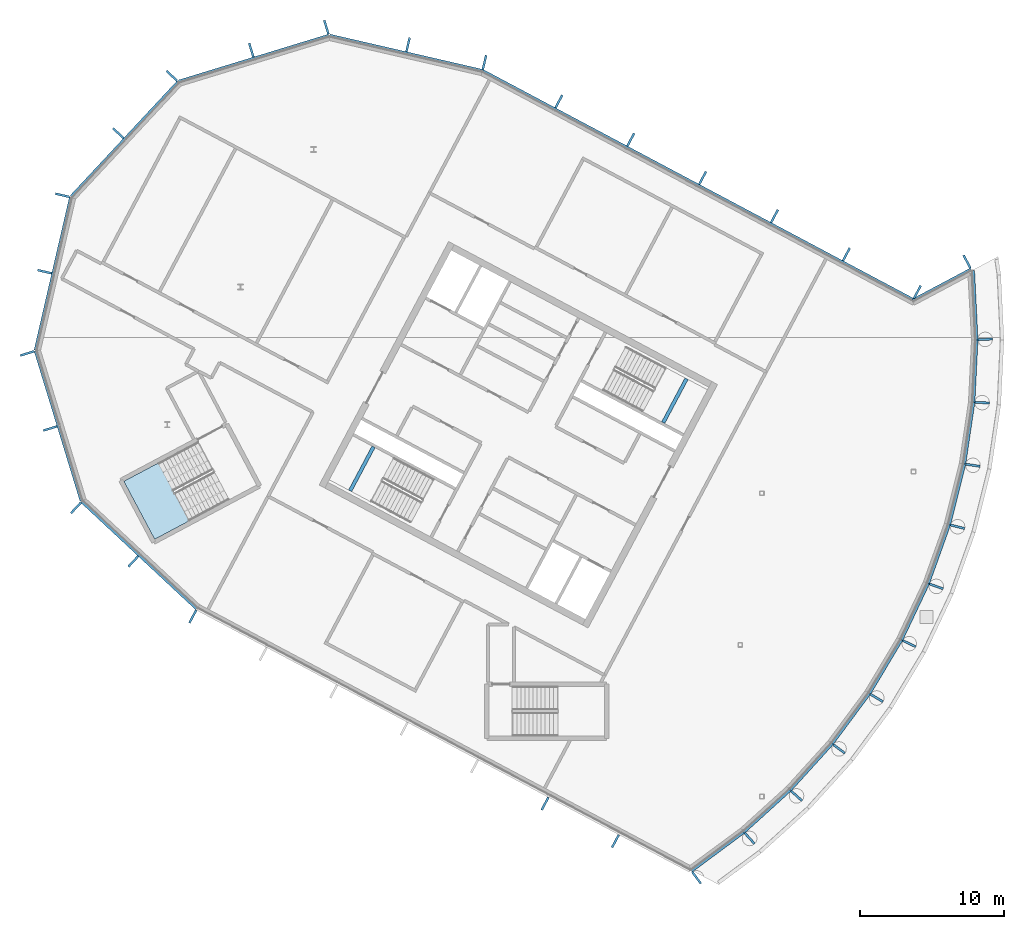
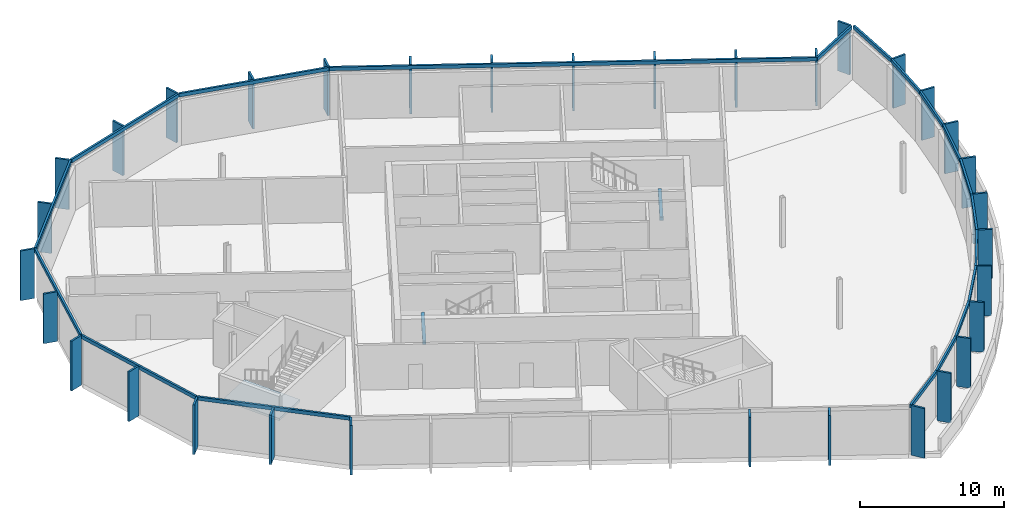
# One storey, part 4 of 15: 52 members, 2 beams, 1 slab, 21 elements without a shape of their own.
"""IFC4 building model written with IfcOpenShell, lengths in metres."""

from ifc_helpers import new_model, si_unit, direction, frame, origin, origin_2d, place, context, subcontext, project, spatial, polyline, rectangle, outline, extrude, material, layer, layer_set, material_profile, profile_set, type_object, element, aggregate, save


model = new_model("IFC4")

# Units and contexts
model_context = context("Model", 3, precision=1e-05, world=origin(), true_north=direction((0.0, 1.0)))
body_context = subcontext(model_context, "Body", "Model", "MODEL_VIEW")
ifc_project = project(units=[si_unit("LENGTHUNIT", "METRE"), si_unit("AREAUNIT", "SQUARE_METRE"), si_unit("VOLUMEUNIT", "CUBIC_METRE"), si_unit("PLANEANGLEUNIT", "RADIAN"), si_unit("MASSUNIT", "GRAM", prefix="KILO")], contexts=[model_context])

# Site, building, storey
site_placement = place(None, origin())
site = spatial("IfcSite", under=ifc_project, at=site_placement, CompositionType="ELEMENT")
building_placement = place(site_placement, origin())
building = spatial("IfcBuilding", under=site, at=building_placement, Name="Cormorant Relay Tower", CompositionType="ELEMENT")
storey_placement = place(building_placement, frame((0.0, 0.0, 332.39990234375)))
storey = spatial("IfcBuildingStorey", under=building, at=storey_placement, Name="C2", CompositionType="ELEMENT", Elevation=332.39990234375)

# Curtain wall, members
ifc_material_1 = material(Name="Aluminium 6063-T6 anodised bronze", Category="aluminium")
ifc_layer_1 = layer(ifc_material_1, 0.199951171875)
ifc_layer_set_1 = layer_set([ifc_layer_1], Name="CW3 crown screen wall")
curtain_wall_type = type_object("IfcCurtainWallType", Name="CW3 crown screen wall", PredefinedType="NOTDEFINED", material=ifc_layer_set_1)
curtain_wall_1_placement = place(storey_placement, origin())
curtain_wall_1 = element("IfcCurtainWall", 1, at=curtain_wall_1_placement, inside=storey, type_object=curtain_wall_type, Name="CW3 curtain wall 1", PredefinedType="NOTDEFINED")
ifc_material_2 = material(Name="Aluminium 6063-T6 anodised bronze", Category="aluminium")
ifc_material_profile_1 = material_profile(ifc_material_2, rectangle(XDim=0.14990234375, YDim=1.0, at=origin_2d()), Name="AL 150x1000")
ifc_profile_set_1 = profile_set([ifc_material_profile_1], Name="Aluminium 6063-T6 anodised bronze")
member_type_1 = type_object("IfcMemberType", Name="CW3 bronze fin mullion 150 x 1000", PredefinedType="MULLION", material=ifc_profile_set_1)
member_1_placement = place(storey_placement, frame((-49.920166015625, 1.96630859375, 0.0), z_axis=(0.0, 0.0, 1.0), x_axis=(0.882947592859, -0.469471562786, 0.0)))
member_1 = element("IfcMember", 2, at=member_1_placement, type_object=member_type_1, Name="CW3 fin 1.1", PredefinedType="MULLION", context=body_context, shape_type="SweptSolid", body=[
    extrude(rectangle(XDim=0.14990234375, YDim=1.0, at=origin_2d()), origin(), (0.0, 0.0, 1.0), 4.2001953125),
])
member_2_placement = place(storey_placement, frame((-25.52783203125, -11.00341796875, 0.0), z_axis=(0.0, 0.0, 1.0), x_axis=(0.882947592859, -0.469471562786, 0.0)))
member_2 = element("IfcMember", 3, at=member_2_placement, type_object=member_type_1, Name="CW3 fin 1.6", PredefinedType="MULLION", context=body_context, shape_type="SweptSolid", body=[
    extrude(rectangle(XDim=0.14990234375, YDim=1.0, at=origin_2d()), origin(), (0.0, 0.0, 1.0), 4.2001953125),
])
member_3_placement = place(storey_placement, frame((-20.6494140625, -13.597412109375, 0.0), z_axis=(0.0, 0.0, 1.0), x_axis=(0.882947592859, -0.469471562786, 0.0)))
member_3 = element("IfcMember", 4, at=member_3_placement, type_object=member_type_1, Name="CW3 fin 1.7", PredefinedType="MULLION", context=body_context, shape_type="SweptSolid", body=[
    extrude(rectangle(XDim=0.14990234375, YDim=1.0, at=origin_2d()), origin(), (0.0, 0.0, 1.0), 4.2001953125),
])
aggregate(curtain_wall_1, [member_1, member_2, member_3])

# Curtain wall, member
curtain_wall_2_placement = place(storey_placement, origin())
curtain_wall_2 = element("IfcCurtainWall", 5, at=curtain_wall_2_placement, inside=storey, type_object=curtain_wall_type, Name="CW3 curtain wall 2", PredefinedType="NOTDEFINED")
member_4_placement = place(storey_placement, frame((-15.025390625, -16.135498046875, 0.0), z_axis=(0.0, 0.0, 1.0), x_axis=(0.803207531481, 0.595699304492, 0.0)))
member_4 = element("IfcMember", 6, at=member_4_placement, type_object=member_type_1, Name="CW3 fin 2.1", PredefinedType="MULLION", context=body_context, shape_type="SweptSolid", body=[
    extrude(rectangle(XDim=0.14990234375, YDim=1.0, at=origin_2d()), origin(), (0.0, 0.0, 1.0), 4.2001953125),
])

curtain_wall_3_placement = place(storey_placement, origin())
curtain_wall_3 = element("IfcCurtainWall", 7, at=curtain_wall_3_placement, inside=storey, type_object=curtain_wall_type, Name="CW3 curtain wall 3", PredefinedType="NOTDEFINED")
member_5_placement = place(storey_placement, frame((-11.34912109375, -13.40478515625, 0.0), z_axis=(0.0, 0.0, 1.0), x_axis=(0.740951125355, 0.671558954847, 0.0)))
member_5 = element("IfcMember", 8, at=member_5_placement, type_object=member_type_1, Name="CW3 fin 3.1", PredefinedType="MULLION", context=body_context, shape_type="SweptSolid", body=[
    extrude(rectangle(XDim=0.14990234375, YDim=1.0, at=origin_2d()), origin(), (0.0, 0.0, 1.0), 4.2001953125),
])

curtain_wall_4_placement = place(storey_placement, origin())
curtain_wall_4 = element("IfcCurtainWall", 9, at=curtain_wall_4_placement, inside=storey, type_object=curtain_wall_type, Name="CW3 curtain wall 4", PredefinedType="NOTDEFINED")
member_6_placement = place(storey_placement, frame((-8.101318359375, -10.45654296875, 0.0), z_axis=(0.0, 0.0, 1.0), x_axis=(0.671558954847, 0.740951125355, 0.0)))
member_6 = element("IfcMember", 10, at=member_6_placement, type_object=member_type_1, Name="CW3 fin 4.1", PredefinedType="MULLION", context=body_context, shape_type="SweptSolid", body=[
    extrude(rectangle(XDim=0.14990234375, YDim=1.0, at=origin_2d()), origin(), (0.0, 0.0, 1.0), 4.2001953125),
])

curtain_wall_5_placement = place(storey_placement, origin())
curtain_wall_5 = element("IfcCurtainWall", 11, at=curtain_wall_5_placement, inside=storey, type_object=curtain_wall_type, Name="CW3 curtain wall 5", PredefinedType="NOTDEFINED")
member_7_placement = place(storey_placement, frame((-5.157958984375, -7.2041015625, 0.0), z_axis=(0.0, 0.0, 1.0), x_axis=(0.595699304492, 0.803207531481, 0.0)))
member_7 = element("IfcMember", 12, at=member_7_placement, type_object=member_type_1, Name="CW3 fin 5.1", PredefinedType="MULLION", context=body_context, shape_type="SweptSolid", body=[
    extrude(rectangle(XDim=0.14990234375, YDim=1.0, at=origin_2d()), origin(), (0.0, 0.0, 1.0), 4.2001953125),
])

curtain_wall_6_placement = place(storey_placement, origin())
curtain_wall_6 = element("IfcCurtainWall", 13, at=curtain_wall_6_placement, inside=storey, type_object=curtain_wall_type, Name="CW3 curtain wall 6", PredefinedType="NOTDEFINED")
member_8_placement = place(storey_placement, frame((-2.547607421875, -3.6787109375, 0.0), z_axis=(0.0, 0.0, 1.0), x_axis=(0.514102744193, 0.85772861, 0.0)))
member_8 = element("IfcMember", 14, at=member_8_placement, type_object=member_type_1, Name="CW3 fin 6.1", PredefinedType="MULLION", context=body_context, shape_type="SweptSolid", body=[
    extrude(rectangle(XDim=0.14990234375, YDim=1.0, at=origin_2d()), origin(), (0.0, 0.0, 1.0), 4.2001953125),
])

curtain_wall_7_placement = place(storey_placement, origin())
curtain_wall_7 = element("IfcCurtainWall", 15, at=curtain_wall_7_placement, inside=storey, type_object=curtain_wall_type, Name="CW3 curtain wall 7", PredefinedType="NOTDEFINED")
member_9_placement = place(storey_placement, frame((-0.29541015625, 0.08544921875, 0.0), z_axis=(0.0, 0.0, 1.0), x_axis=(0.42755509343, 0.903989293123, 0.0)))
member_9 = element("IfcMember", 16, at=member_9_placement, type_object=member_type_1, Name="CW3 fin 7.1", PredefinedType="MULLION", context=body_context, shape_type="SweptSolid", body=[
    extrude(rectangle(XDim=0.14990234375, YDim=1.0, at=origin_2d()), origin(), (0.0, 0.0, 1.0), 4.2001953125),
])

curtain_wall_8_placement = place(storey_placement, origin())
curtain_wall_8 = element("IfcCurtainWall", 17, at=curtain_wall_8_placement, inside=storey, type_object=curtain_wall_type, Name="CW3 curtain wall 8", PredefinedType="NOTDEFINED")
member_10_placement = place(storey_placement, frame((1.5771484375, 4.05224609375, 0.0), z_axis=(0.0, 0.0, 1.0), x_axis=(0.336889853392, 0.941544065183, 0.0)))
member_10 = element("IfcMember", 18, at=member_10_placement, type_object=member_type_1, Name="CW3 fin 8.1", PredefinedType="MULLION", context=body_context, shape_type="SweptSolid", body=[
    extrude(rectangle(XDim=0.14990234375, YDim=1.0, at=origin_2d()), origin(), (0.0, 0.0, 1.0), 4.2001953125),
])

curtain_wall_9_placement = place(storey_placement, origin())
curtain_wall_9 = element("IfcCurtainWall", 19, at=curtain_wall_9_placement, inside=storey, type_object=curtain_wall_type, Name="CW3 curtain wall 9", PredefinedType="NOTDEFINED")
member_11_placement = place(storey_placement, frame((3.0517578125, 8.18359375, 0.0), z_axis=(0.0, 0.0, 1.0), x_axis=(0.242980179903, 0.970031253195, 0.0)))
member_11 = element("IfcMember", 20, at=member_11_placement, type_object=member_type_1, Name="CW3 fin 9.1", PredefinedType="MULLION", context=body_context, shape_type="SweptSolid", body=[
    extrude(rectangle(XDim=0.14990234375, YDim=1.0, at=origin_2d()), origin(), (0.0, 0.0, 1.0), 4.2001953125),
])

curtain_wall_10_placement = place(storey_placement, origin())
curtain_wall_10 = element("IfcCurtainWall", 21, at=curtain_wall_10_placement, inside=storey, type_object=curtain_wall_type, Name="CW3 curtain wall 10", PredefinedType="NOTDEFINED")
member_12_placement = place(storey_placement, frame((4.1142578125, 12.439453125, 0.0), z_axis=(0.0, 0.0, 1.0), x_axis=(0.146730474455, 0.989176509965, 0.0)))
member_12 = element("IfcMember", 22, at=member_12_placement, type_object=member_type_1, Name="CW3 fin 10.1", PredefinedType="MULLION", context=body_context, shape_type="SweptSolid", body=[
    extrude(rectangle(XDim=0.14990234375, YDim=1.0, at=origin_2d()), origin(), (0.0, 0.0, 1.0), 4.2001953125),
])

curtain_wall_11_placement = place(storey_placement, origin())
curtain_wall_11 = element("IfcCurtainWall", 23, at=curtain_wall_11_placement, inside=storey, type_object=curtain_wall_type, Name="CW3 curtain wall 11", PredefinedType="NOTDEFINED")
member_13_placement = place(storey_placement, frame((4.754638671875, 16.779052734375, 0.0), z_axis=(0.0, 0.0, 1.0), x_axis=(0.049067674327, 0.998795456205, 0.0)))
member_13 = element("IfcMember", 24, at=member_13_placement, type_object=member_type_1, Name="CW3 fin 11.1", PredefinedType="MULLION", context=body_context, shape_type="SweptSolid", body=[
    extrude(rectangle(XDim=0.14990234375, YDim=1.0, at=origin_2d()), origin(), (0.0, 0.0, 1.0), 4.2001953125),
])

curtain_wall_12_placement = place(storey_placement, origin())
curtain_wall_12 = element("IfcCurtainWall", 25, at=curtain_wall_12_placement, inside=storey, type_object=curtain_wall_type, Name="CW3 curtain wall 12", PredefinedType="NOTDEFINED")
member_14_placement = place(storey_placement, frame((4.966552734375, 21.16064453125, 0.0), z_axis=(0.0, 0.0, 1.0), x_axis=(-0.049067674327, 0.998795456205, 0.0)))
member_14 = element("IfcMember", 26, at=member_14_placement, type_object=member_type_1, Name="CW3 fin 12.1", PredefinedType="MULLION", context=body_context, shape_type="SweptSolid", body=[
    extrude(rectangle(XDim=0.14990234375, YDim=1.0, at=origin_2d()), origin(), (0.0, 0.0, 1.0), 4.2001953125),
])

curtain_wall_13_placement = place(storey_placement, origin())
curtain_wall_13 = element("IfcCurtainWall", 27, at=curtain_wall_13_placement, inside=storey, type_object=curtain_wall_type, Name="CW3 curtain wall 13", PredefinedType="NOTDEFINED")
member_15_placement = place(storey_placement, frame((3.702880859375, 26.545654296875, 0.0), z_axis=(0.0, 0.0, 1.0), x_axis=(-0.882947592859, -0.469471562786, 0.0)))
member_15 = element("IfcMember", 28, at=member_15_placement, type_object=member_type_1, Name="CW3 fin 13.1", PredefinedType="MULLION", context=body_context, shape_type="SweptSolid", body=[
    extrude(rectangle(XDim=0.14990234375, YDim=1.0, at=origin_2d()), origin(), (0.0, 0.0, 1.0), 4.2001953125),
])

# Curtain wall, members
curtain_wall_14_placement = place(storey_placement, origin())
curtain_wall_14 = element("IfcCurtainWall", 29, at=curtain_wall_14_placement, inside=storey, type_object=curtain_wall_type, Name="CW3 curtain wall 14", PredefinedType="NOTDEFINED")
member_16_placement = place(storey_placement, frame((0.262451171875, 24.437255859375, 0.0), z_axis=(0.0, 0.0, 1.0), x_axis=(-0.882947592859, 0.469471562786, 0.0)))
member_16 = element("IfcMember", 30, at=member_16_placement, type_object=member_type_1, Name="CW3 fin 14.1", PredefinedType="MULLION", context=body_context, shape_type="SweptSolid", body=[
    extrude(rectangle(XDim=0.14990234375, YDim=1.0, at=origin_2d()), origin(), (0.0, 0.0, 1.0), 4.2001953125),
])
member_17_placement = place(storey_placement, frame((-4.650390625, 27.04931640625, 0.0), z_axis=(0.0, 0.0, 1.0), x_axis=(-0.882947592859, 0.469471562786, 0.0)))
member_17 = element("IfcMember", 31, at=member_17_placement, type_object=member_type_1, Name="CW3 fin 14.2", PredefinedType="MULLION", context=body_context, shape_type="SweptSolid", body=[
    extrude(rectangle(XDim=0.14990234375, YDim=1.0, at=origin_2d()), origin(), (0.0, 0.0, 1.0), 4.2001953125),
])
member_18_placement = place(storey_placement, frame((-9.62939453125, 29.69677734375, 0.0), z_axis=(0.0, 0.0, 1.0), x_axis=(-0.882947592859, 0.469471562786, 0.0)))
member_18 = element("IfcMember", 32, at=member_18_placement, type_object=member_type_1, Name="CW3 fin 14.3", PredefinedType="MULLION", context=body_context, shape_type="SweptSolid", body=[
    extrude(rectangle(XDim=0.14990234375, YDim=1.0, at=origin_2d()), origin(), (0.0, 0.0, 1.0), 4.2001953125),
])
member_19_placement = place(storey_placement, frame((-14.608154296875, 32.343994140625, 0.0), z_axis=(0.0, 0.0, 1.0), x_axis=(-0.882947592859, 0.469471562786, 0.0)))
member_19 = element("IfcMember", 33, at=member_19_placement, type_object=member_type_1, Name="CW3 fin 14.4", PredefinedType="MULLION", context=body_context, shape_type="SweptSolid", body=[
    extrude(rectangle(XDim=0.14990234375, YDim=1.0, at=origin_2d()), origin(), (0.0, 0.0, 1.0), 4.2001953125),
])
member_20_placement = place(storey_placement, frame((-19.587158203125, 34.991455078125, 0.0), z_axis=(0.0, 0.0, 1.0), x_axis=(-0.882947592859, 0.469471562786, 0.0)))
member_20 = element("IfcMember", 34, at=member_20_placement, type_object=member_type_1, Name="CW3 fin 14.5", PredefinedType="MULLION", context=body_context, shape_type="SweptSolid", body=[
    extrude(rectangle(XDim=0.14990234375, YDim=1.0, at=origin_2d()), origin(), (0.0, 0.0, 1.0), 4.2001953125),
])
member_21_placement = place(storey_placement, frame((-24.566162109375, 37.638916015625, 0.0), z_axis=(0.0, 0.0, 1.0), x_axis=(-0.882947592859, 0.469471562786, 0.0)))
member_21 = element("IfcMember", 35, at=member_21_placement, type_object=member_type_1, Name="CW3 fin 14.6", PredefinedType="MULLION", context=body_context, shape_type="SweptSolid", body=[
    extrude(rectangle(XDim=0.14990234375, YDim=1.0, at=origin_2d()), origin(), (0.0, 0.0, 1.0), 4.2001953125),
])

curtain_wall_15_placement = place(storey_placement, origin())
curtain_wall_15 = element("IfcCurtainWall", 36, at=curtain_wall_15_placement, inside=storey, type_object=curtain_wall_type, Name="CW3 curtain wall 15", PredefinedType="NOTDEFINED")
member_22_placement = place(storey_placement, frame((-29.71630859375, 40.35009765625, 0.0), z_axis=(0.0, 0.0, 1.0), x_axis=(-0.974370064785, 0.224951054344, 0.0)))
member_22 = element("IfcMember", 37, at=member_22_placement, type_object=member_type_1, Name="CW3 fin 15.1", PredefinedType="MULLION", context=body_context, shape_type="SweptSolid", body=[
    extrude(rectangle(XDim=0.14990234375, YDim=1.0, at=origin_2d()), origin(), (0.0, 0.0, 1.0), 4.2001953125),
])
member_23_placement = place(storey_placement, frame((-35.01220703125, 41.57275390625, 0.0), z_axis=(0.0, 0.0, 1.0), x_axis=(-0.974370064785, 0.224951054344, 0.0)))
member_23 = element("IfcMember", 38, at=member_23_placement, type_object=member_type_1, Name="CW3 fin 15.2", PredefinedType="MULLION", context=body_context, shape_type="SweptSolid", body=[
    extrude(rectangle(XDim=0.14990234375, YDim=1.0, at=origin_2d()), origin(), (0.0, 0.0, 1.0), 4.2001953125),
])

curtain_wall_16_placement = place(storey_placement, origin())
curtain_wall_16 = element("IfcCurtainWall", 39, at=curtain_wall_16_placement, inside=storey, type_object=curtain_wall_type, Name="CW3 curtain wall 16", PredefinedType="NOTDEFINED")
member_24_placement = place(storey_placement, frame((-40.670166015625, 42.78271484375, 0.0), z_axis=(0.0, 0.0, 1.0), x_axis=(-0.956304755963, -0.292371704723, 0.0)))
member_24 = element("IfcMember", 40, at=member_24_placement, type_object=member_type_1, Name="CW3 fin 16.1", PredefinedType="MULLION", context=body_context, shape_type="SweptSolid", body=[
    extrude(rectangle(XDim=0.14990234375, YDim=1.0, at=origin_2d()), origin(), (0.0, 0.0, 1.0), 4.2001953125),
])
member_25_placement = place(storey_placement, frame((-45.867919921875, 41.193603515625, 0.0), z_axis=(0.0, 0.0, 1.0), x_axis=(-0.956304755963, -0.292371704723, 0.0)))
member_25 = element("IfcMember", 41, at=member_25_placement, type_object=member_type_1, Name="CW3 fin 16.2", PredefinedType="MULLION", context=body_context, shape_type="SweptSolid", body=[
    extrude(rectangle(XDim=0.14990234375, YDim=1.0, at=origin_2d()), origin(), (0.0, 0.0, 1.0), 4.2001953125),
])

curtain_wall_17_placement = place(storey_placement, origin())
curtain_wall_17 = element("IfcCurtainWall", 42, at=curtain_wall_17_placement, inside=storey, type_object=curtain_wall_type, Name="CW3 curtain wall 17", PredefinedType="NOTDEFINED")
member_26_placement = place(storey_placement, frame((-51.372802734375, 39.41259765625, 0.0), z_axis=(0.0, 0.0, 1.0), x_axis=(-0.681998360062, -0.731353701619, 0.0)))
member_26 = element("IfcMember", 43, at=member_26_placement, type_object=member_type_1, Name="CW3 fin 17.1", PredefinedType="MULLION", context=body_context, shape_type="SweptSolid", body=[
    extrude(rectangle(XDim=0.14990234375, YDim=1.0, at=origin_2d()), origin(), (0.0, 0.0, 1.0), 4.2001953125),
])
member_27_placement = place(storey_placement, frame((-55.07958984375, 35.4375, 0.0), z_axis=(0.0, 0.0, 1.0), x_axis=(-0.681998360062, -0.731353701619, 0.0)))
member_27 = element("IfcMember", 44, at=member_27_placement, type_object=member_type_1, Name="CW3 fin 17.2", PredefinedType="MULLION", context=body_context, shape_type="SweptSolid", body=[
    extrude(rectangle(XDim=0.14990234375, YDim=1.0, at=origin_2d()), origin(), (0.0, 0.0, 1.0), 4.2001953125),
])

curtain_wall_18_placement = place(storey_placement, origin())
curtain_wall_18 = element("IfcCurtainWall", 45, at=curtain_wall_18_placement, inside=storey, type_object=curtain_wall_type, Name="CW3 curtain wall 18", PredefinedType="NOTDEFINED")
member_28_placement = place(storey_placement, frame((-58.95654296875, 31.142578125, 0.0), z_axis=(0.0, 0.0, 1.0), x_axis=(-0.224951054344, -0.974370064785, 0.0)))
member_28 = element("IfcMember", 46, at=member_28_placement, type_object=member_type_1, Name="CW3 fin 18.1", PredefinedType="MULLION", context=body_context, shape_type="SweptSolid", body=[
    extrude(rectangle(XDim=0.14990234375, YDim=1.0, at=origin_2d()), origin(), (0.0, 0.0, 1.0), 4.2001953125),
])
member_29_placement = place(storey_placement, frame((-60.17919921875, 25.8466796875, 0.0), z_axis=(0.0, 0.0, 1.0), x_axis=(-0.224951054344, -0.974370064785, 0.0)))
member_29 = element("IfcMember", 47, at=member_29_placement, type_object=member_type_1, Name="CW3 fin 18.2", PredefinedType="MULLION", context=body_context, shape_type="SweptSolid", body=[
    extrude(rectangle(XDim=0.14990234375, YDim=1.0, at=origin_2d()), origin(), (0.0, 0.0, 1.0), 4.2001953125),
])

curtain_wall_19_placement = place(storey_placement, origin())
curtain_wall_19 = element("IfcCurtainWall", 48, at=curtain_wall_19_placement, inside=storey, type_object=curtain_wall_type, Name="CW3 curtain wall 19", PredefinedType="NOTDEFINED")
member_30_placement = place(storey_placement, frame((-61.389404296875, 20.188720703125, 0.0), z_axis=(0.0, 0.0, 1.0), x_axis=(0.292371704723, -0.956304755963, 0.0)))
member_30 = element("IfcMember", 49, at=member_30_placement, type_object=member_type_1, Name="CW3 fin 19.1", PredefinedType="MULLION", context=body_context, shape_type="SweptSolid", body=[
    extrude(rectangle(XDim=0.14990234375, YDim=1.0, at=origin_2d()), origin(), (0.0, 0.0, 1.0), 4.2001953125),
])
member_31_placement = place(storey_placement, frame((-59.80029296875, 14.990966796875, 0.0), z_axis=(0.0, 0.0, 1.0), x_axis=(0.292371704723, -0.956304755963, 0.0)))
member_31 = element("IfcMember", 50, at=member_31_placement, type_object=member_type_1, Name="CW3 fin 19.2", PredefinedType="MULLION", context=body_context, shape_type="SweptSolid", body=[
    extrude(rectangle(XDim=0.14990234375, YDim=1.0, at=origin_2d()), origin(), (0.0, 0.0, 1.0), 4.2001953125),
])

curtain_wall_20_placement = place(storey_placement, origin())
curtain_wall_20 = element("IfcCurtainWall", 51, at=curtain_wall_20_placement, inside=storey, type_object=curtain_wall_type, Name="CW3 curtain wall 20", PredefinedType="NOTDEFINED")
member_32_placement = place(storey_placement, frame((-58.01904296875, 9.486083984375, 0.0), z_axis=(0.0, 0.0, 1.0), x_axis=(0.731353701619, -0.681998360062, 0.0)))
member_32 = element("IfcMember", 52, at=member_32_placement, type_object=member_type_1, Name="CW3 fin 20.1", PredefinedType="MULLION", context=body_context, shape_type="SweptSolid", body=[
    extrude(rectangle(XDim=0.14990234375, YDim=1.0, at=origin_2d()), origin(), (0.0, 0.0, 1.0), 4.2001953125),
])
member_33_placement = place(storey_placement, frame((-54.0439453125, 5.779296875, 0.0), z_axis=(0.0, 0.0, 1.0), x_axis=(0.731353701619, -0.681998360062, 0.0)))
member_33 = element("IfcMember", 53, at=member_33_placement, type_object=member_type_1, Name="CW3 fin 20.2", PredefinedType="MULLION", context=body_context, shape_type="SweptSolid", body=[
    extrude(rectangle(XDim=0.14990234375, YDim=1.0, at=origin_2d()), origin(), (0.0, 0.0, 1.0), 4.2001953125),
])

# Member
ifc_material_3 = material(Name="Aluminium 6063-T6 anodised bronze", Category="aluminium")
ifc_material_profile_2 = material_profile(ifc_material_3, rectangle(XDim=0.159912109375, YDim=0.300048828125, at=origin_2d()), Name="AL 160x300")
ifc_profile_set_2 = profile_set([ifc_material_profile_2], Name="Aluminium 6063-T6 anodised bronze")
member_type_2 = type_object("IfcMemberType", Name="CW3 bronze transom 160 x 300", PredefinedType="USERDEFINED", material=ifc_profile_set_2)
member_34_placement = place(storey_placement, frame((-15.370849609375, -15.669677734375, 4.050048828125), z_axis=(0.803209968558, 0.59569601846, 0.0), x_axis=(-0.59569601846, 0.803209968558, 0.0)))
member_34 = element("IfcMember", 54, at=member_34_placement, type_object=member_type_2, Name="CW3 transom 2", ObjectType="TRANSOM", PredefinedType="USERDEFINED", context=body_context, shape_type="SweptSolid", body=[
    extrude(rectangle(XDim=0.159912109375, YDim=0.300048828125, at=origin_2d()), origin(), (0.0, 0.0, 1.0), 4.5107421875),
])

aggregate(curtain_wall_2, [member_4, member_34])

member_35_placement = place(storey_placement, frame((-11.73876953125, -12.97509765625, 4.050048828125), z_axis=(0.74097024659, 0.671537857211, 0.0), x_axis=(-0.671537857211, 0.74097024659, 0.0)))
member_35 = element("IfcMember", 55, at=member_35_placement, type_object=member_type_2, Name="CW3 transom 3", ObjectType="TRANSOM", PredefinedType="USERDEFINED", context=body_context, shape_type="SweptSolid", body=[
    extrude(rectangle(XDim=0.159912109375, YDim=0.300048828125, at=origin_2d()), origin(), (0.0, 0.0, 1.0), 4.31787109375),
])

aggregate(curtain_wall_3, [member_5, member_35])

member_36_placement = place(storey_placement, frame((-8.531005859375, -10.067138671875, 4.050048828125), z_axis=(0.671537857211, 0.74097024659, 0.0), x_axis=(-0.74097024659, 0.671537857211, 0.0)))
member_36 = element("IfcMember", 56, at=member_36_placement, type_object=member_type_2, Name="CW3 transom 4", ObjectType="TRANSOM", PredefinedType="USERDEFINED", context=body_context, shape_type="SweptSolid", body=[
    extrude(rectangle(XDim=0.159912109375, YDim=0.300048828125, at=origin_2d()), origin(), (0.0, 0.0, 1.0), 4.31787109375),
])

aggregate(curtain_wall_4, [member_6, member_36])

member_37_placement = place(storey_placement, frame((-5.623779296875, -6.858642578125, 4.050048828125), z_axis=(0.595703402211, 0.803204492389, 0.0), x_axis=(-0.803204492389, 0.595703402211, 0.0)))
member_37 = element("IfcMember", 57, at=member_37_placement, type_object=member_type_2, Name="CW3 transom 5", ObjectType="TRANSOM", PredefinedType="USERDEFINED", context=body_context, shape_type="SweptSolid", body=[
    extrude(rectangle(XDim=0.159912109375, YDim=0.300048828125, at=origin_2d()), origin(), (0.0, 0.0, 1.0), 4.318115234375),
])

aggregate(curtain_wall_5, [member_7, member_37])

member_38_placement = place(storey_placement, frame((-3.045166015625, -3.380615234375, 4.050048828125), z_axis=(0.514121542265, 0.857717342589, 0.0), x_axis=(-0.857717342589, 0.514121542265, 0.0)))
member_38 = element("IfcMember", 58, at=member_38_placement, type_object=member_type_2, Name="CW3 transom 6", ObjectType="TRANSOM", PredefinedType="USERDEFINED", context=body_context, shape_type="SweptSolid", body=[
    extrude(rectangle(XDim=0.159912109375, YDim=0.300048828125, at=origin_2d()), origin(), (0.0, 0.0, 1.0), 4.31787109375),
])

aggregate(curtain_wall_6, [member_8, member_38])

member_39_placement = place(storey_placement, frame((-0.819580078125, 0.33349609375, 4.050048828125), z_axis=(0.427566144035, 0.903984066494, 0.0), x_axis=(-0.903984066494, 0.427566144035, 0.0)))
member_39 = element("IfcMember", 59, at=member_39_placement, type_object=member_type_2, Name="CW3 transom 7", ObjectType="TRANSOM", PredefinedType="USERDEFINED", context=body_context, shape_type="SweptSolid", body=[
    extrude(rectangle(XDim=0.159912109375, YDim=0.300048828125, at=origin_2d()), origin(), (0.0, 0.0, 1.0), 4.31787109375),
])

aggregate(curtain_wall_7, [member_9, member_39])

member_40_placement = place(storey_placement, frame((1.031005859375, 4.247802734375, 4.050048828125), z_axis=(0.336880787146, 0.941547309089, 0.0), x_axis=(-0.941547309089, 0.336880787146, 0.0)))
member_40 = element("IfcMember", 60, at=member_40_placement, type_object=member_type_2, Name="CW3 transom 8", ObjectType="TRANSOM", PredefinedType="USERDEFINED", context=body_context, shape_type="SweptSolid", body=[
    extrude(rectangle(XDim=0.159912109375, YDim=0.300048828125, at=origin_2d()), origin(), (0.0, 0.0, 1.0), 4.31787109375),
])

aggregate(curtain_wall_8, [member_10, member_40])

member_41_placement = place(storey_placement, frame((2.489013671875, 8.324462890625, 4.050048828125), z_axis=(0.243001205852, 0.970025986226, 0.0), x_axis=(-0.970025986226, 0.243001205852, 0.0)))
member_41 = element("IfcMember", 61, at=member_41_placement, type_object=member_type_2, Name="CW3 transom 9", ObjectType="TRANSOM", PredefinedType="USERDEFINED", context=body_context, shape_type="SweptSolid", body=[
    extrude(rectangle(XDim=0.159912109375, YDim=0.300048828125, at=origin_2d()), origin(), (0.0, 0.0, 1.0), 4.318115234375),
])

aggregate(curtain_wall_9, [member_11, member_41])

member_42_placement = place(storey_placement, frame((3.54052734375, 12.524658203125, 4.050048828125), z_axis=(0.146778156916, 0.989169435765, 0.0), x_axis=(-0.989169435765, 0.146778156916, 0.0)))
member_42 = element("IfcMember", 62, at=member_42_placement, type_object=member_type_2, Name="CW3 transom 10", ObjectType="TRANSOM", PredefinedType="USERDEFINED", context=body_context, shape_type="SweptSolid", body=[
    extrude(rectangle(XDim=0.159912109375, YDim=0.300048828125, at=origin_2d()), origin(), (0.0, 0.0, 1.0), 4.318115234375),
])

aggregate(curtain_wall_10, [member_12, member_42])

member_43_placement = place(storey_placement, frame((4.17529296875, 16.8076171875, 4.050048828125), z_axis=(0.049077499969, 0.998794973454, 0.0), x_axis=(-0.998794973454, 0.049077499969, 0.0)))
member_43 = element("IfcMember", 63, at=member_43_placement, type_object=member_type_2, Name="CW3 transom 11", ObjectType="TRANSOM", PredefinedType="USERDEFINED", context=body_context, shape_type="SweptSolid", body=[
    extrude(rectangle(XDim=0.159912109375, YDim=0.300048828125, at=origin_2d()), origin(), (0.0, 0.0, 1.0), 4.31787109375),
])

aggregate(curtain_wall_11, [member_13, member_43])

member_44_placement = place(storey_placement, frame((4.38720703125, 21.132080078125, 4.050048828125), z_axis=(-0.049061157325, 0.998795776344, 0.0), x_axis=(-0.998795776344, -0.049061157325, 0.0)))
member_44 = element("IfcMember", 64, at=member_44_placement, type_object=member_type_2, Name="CW3 transom 12", ObjectType="TRANSOM", PredefinedType="USERDEFINED", context=body_context, shape_type="SweptSolid", body=[
    extrude(rectangle(XDim=0.159912109375, YDim=0.300048828125, at=origin_2d()), origin(), (0.0, 0.0, 1.0), 4.80712890625),
])

aggregate(curtain_wall_12, [member_14, member_44])

member_45_placement = place(storey_placement, frame((3.97509765625, 26.033447265625, 4.050048828125), z_axis=(-0.8829502048, -0.469466650406, 0.0), x_axis=(0.469466650406, -0.8829502048, 0.0)))
member_45 = element("IfcMember", 65, at=member_45_placement, type_object=member_type_2, Name="CW3 transom 13", ObjectType="TRANSOM", PredefinedType="USERDEFINED", context=body_context, shape_type="SweptSolid", body=[
    extrude(rectangle(XDim=0.159912109375, YDim=0.300048828125, at=origin_2d()), origin(), (0.0, 0.0, 1.0), 4.56591796875),
])

aggregate(curtain_wall_13, [member_15, member_45])

member_46_placement = place(storey_placement, frame((0.056396484375, 23.889892578125, 4.050048828125), z_axis=(-0.882946280328, 0.46947403129, 0.0), x_axis=(-0.46947403129, -0.882946280328, 0.0)))
member_46 = element("IfcMember", 66, at=member_46_placement, type_object=member_type_2, Name="CW3 transom 14", ObjectType="TRANSOM", PredefinedType="USERDEFINED", context=body_context, shape_type="SweptSolid", body=[
    extrude(rectangle(XDim=0.159912109375, YDim=0.300048828125, at=origin_2d()), origin(), (0.0, 0.0, 1.0), 33.834228515625),
])

aggregate(curtain_wall_14, [member_16, member_17, member_18, member_19, member_20, member_21, member_46])

member_47_placement = place(storey_placement, frame((-29.8466796875, 39.784912109375, 4.050048828125), z_axis=(-0.974365070969, 0.224972683844, 0.0), x_axis=(-0.224972683844, -0.974365070969, 0.0)))
member_47 = element("IfcMember", 67, at=member_47_placement, type_object=member_type_2, Name="CW3 transom 15", ObjectType="TRANSOM", PredefinedType="USERDEFINED", context=body_context, shape_type="SweptSolid", body=[
    extrude(rectangle(XDim=0.159912109375, YDim=0.300048828125, at=origin_2d()), origin(), (0.0, 0.0, 1.0), 10.870361328125),
])

aggregate(curtain_wall_15, [member_22, member_23, member_47])

member_48_placement = place(storey_placement, frame((-40.50048828125, 42.228271484375, 4.050048828125), z_axis=(-0.956304833932, -0.292371449698, 0.0), x_axis=(0.292371449698, -0.956304833932, 0.0)))
member_48 = element("IfcMember", 68, at=member_48_placement, type_object=member_type_2, Name="CW3 transom 16", ObjectType="TRANSOM", PredefinedType="USERDEFINED", context=body_context, shape_type="SweptSolid", body=[
    extrude(rectangle(XDim=0.159912109375, YDim=0.300048828125, at=origin_2d()), origin(), (0.0, 0.0, 1.0), 10.87060546875),
])

aggregate(curtain_wall_16, [member_24, member_25, member_48])

member_49_placement = place(storey_placement, frame((-50.94873046875, 39.01708984375, 4.050048828125), z_axis=(-0.681993299437, -0.731358420696, 0.0), x_axis=(0.731358420696, -0.681993299437, 0.0)))
member_49 = element("IfcMember", 69, at=member_49_placement, type_object=member_type_2, Name="CW3 transom 17", ObjectType="TRANSOM", PredefinedType="USERDEFINED", context=body_context, shape_type="SweptSolid", body=[
    extrude(rectangle(XDim=0.159912109375, YDim=0.300048828125, at=origin_2d()), origin(), (0.0, 0.0, 1.0), 10.870361328125),
])

aggregate(curtain_wall_17, [member_26, member_27, member_49])

member_50_placement = place(storey_placement, frame((-58.3916015625, 31.01220703125, 4.050048828125), z_axis=(-0.22495136131, -0.974369993916, 0.0), x_axis=(0.974369993916, -0.22495136131, 0.0)))
member_50 = element("IfcMember", 70, at=member_50_placement, type_object=member_type_2, Name="CW3 transom 18", ObjectType="TRANSOM", PredefinedType="USERDEFINED", context=body_context, shape_type="SweptSolid", body=[
    extrude(rectangle(XDim=0.159912109375, YDim=0.300048828125, at=origin_2d()), origin(), (0.0, 0.0, 1.0), 10.870361328125),
])

aggregate(curtain_wall_18, [member_28, member_29, member_50])

member_51_placement = place(storey_placement, frame((-60.834716796875, 20.358154296875, 4.050048828125), z_axis=(0.292377729282, -0.95630291405, 0.0), x_axis=(0.95630291405, 0.292377729282, 0.0)))
member_51 = element("IfcMember", 71, at=member_51_placement, type_object=member_type_2, Name="CW3 transom 19", ObjectType="TRANSOM", PredefinedType="USERDEFINED", context=body_context, shape_type="SweptSolid", body=[
    extrude(rectangle(XDim=0.159912109375, YDim=0.300048828125, at=origin_2d()), origin(), (0.0, 0.0, 1.0), 10.870361328125),
])

aggregate(curtain_wall_19, [member_30, member_31, member_51])

member_52_placement = place(storey_placement, frame((-57.62353515625, 9.91015625, 4.050048828125), z_axis=(0.731358420696, -0.681993299437, 0.0), x_axis=(0.681993299437, 0.731358420696, 0.0)))
member_52 = element("IfcMember", 72, at=member_52_placement, type_object=member_type_2, Name="CW3 transom 20", ObjectType="TRANSOM", PredefinedType="USERDEFINED", context=body_context, shape_type="SweptSolid", body=[
    extrude(rectangle(XDim=0.159912109375, YDim=0.300048828125, at=origin_2d()), origin(), (0.0, 0.0, 1.0), 10.870361328125),
])

aggregate(curtain_wall_20, [member_32, member_33, member_52])

# Beams
ifc_material_4 = material(Name="Concrete 50 MPa", Category="concrete")
ifc_material_profile_3 = material_profile(ifc_material_4, rectangle(XDim=0.25, YDim=0.300048828125, at=origin_2d()), Name="RC 250x300")
ifc_profile_set_3 = profile_set([ifc_material_profile_3], Name="Concrete 50 MPa")
beam_type = type_object("IfcBeamType", Name="Stair landing ledge beam 250x300", PredefinedType="BEAM", material=ifc_profile_set_3)
for number, where, z_axis, x_axis, name in (
    (73, (-17.338623046875, 15.3916015625, 1.75), (0.469463917486, 0.882951657895, 0.0), (-0.882951657895, 0.469463917486, 0.0), "A1 landing ledge beam"),
    (74, (-37.404052734375, 13.715576171875, 1.75), (-0.469463917486, -0.882951657895, 0.0), (0.882951657895, -0.469463917486, 0.0), "A2 landing ledge beam"),
):
    element("IfcBeam", number, at=place(storey_placement, frame(where, z_axis=z_axis, x_axis=x_axis)), inside=storey, type_object=beam_type, Name=name, PredefinedType="BEAM", context=body_context, shape_type="SweptSolid", body=[
        extrude(rectangle(XDim=0.25, YDim=0.300048828125, at=origin_2d()), origin(), (0.0, 0.0, 1.0), 3.449951171875),
    ])

# Stair, slab
ifc_material_5 = material(Name="Concrete 40 MPa", Category="concrete")
stair_type = type_object("IfcStairType", Name="Remote exit stair 2200", PredefinedType="HALF_TURN_STAIR", material=ifc_material_5)
stair_placement = place(storey_placement, origin())
stair = element("IfcStair", 75, at=stair_placement, inside=storey, type_object=stair_type, Name="C2 Stair", PredefinedType="HALF_TURN_STAIR")
ifc_material_6 = material(Name="Concrete 40 MPa", Category="concrete")
ifc_layer_2 = layer(ifc_material_6, 0.199951171875)
ifc_layer_set_2 = layer_set([ifc_layer_2], Name="Exit stair landing 200")
slab_type = type_object("IfcSlabType", Name="Exit stair landing 200", PredefinedType="LANDING", material=ifc_layer_set_2)
slab_placement = place(storey_placement, frame((0.0, 0.0, 1.900146484375)))
slab = element("IfcSlab", 76, at=slab_placement, type_object=slab_type, Name="RP1 landing 1", PredefinedType="LANDING", context=body_context, shape_type="SweptSolid", body=[
    extrude(outline(polyline([(-52.29833984375, 12.607666015625), (-54.699951171875, 11.330810546875), (-52.563720703125, 7.3134765625), (-50.162109375, 8.59033203125), (-52.29833984375, 12.607666015625)])), origin(), (0.0, 0.0, 1.0), 0.199951171875),
])
aggregate(stair, [slab])

save(model, "model.ifc")
